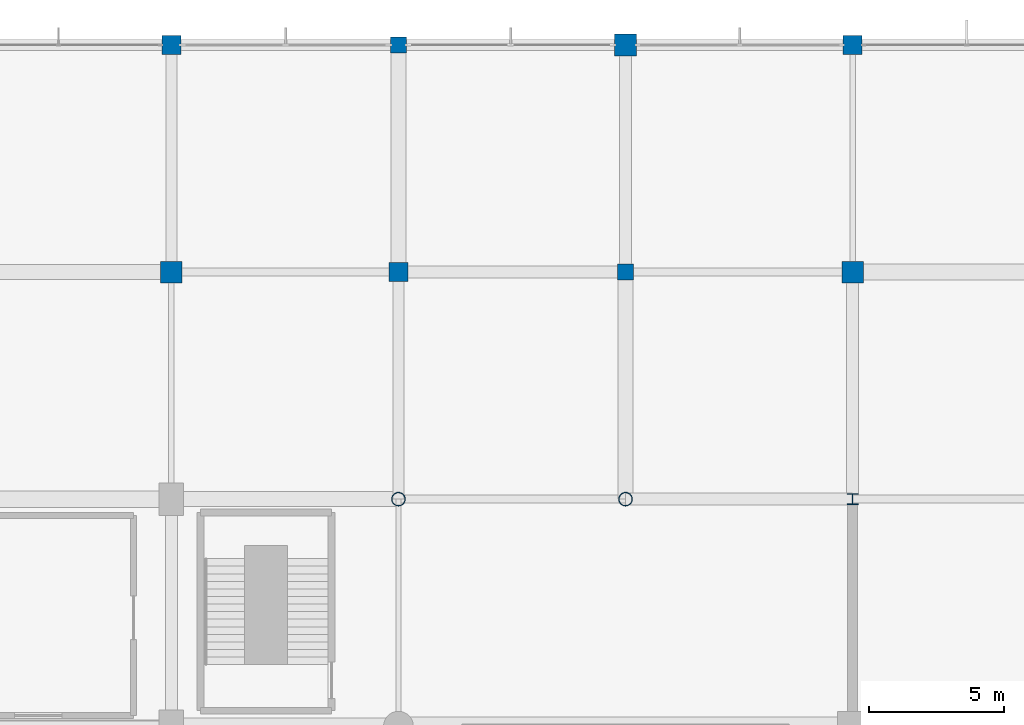
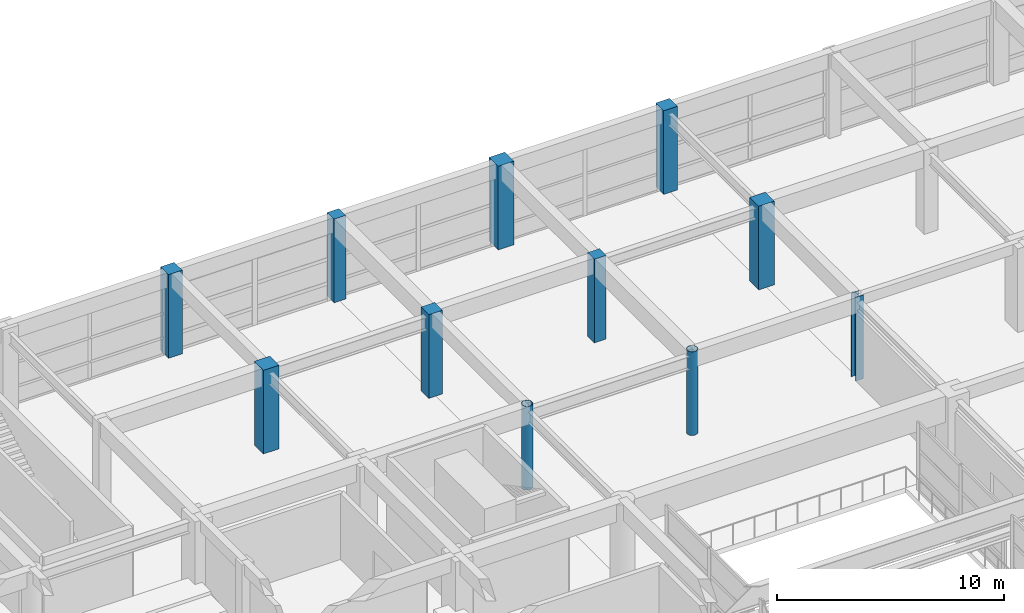
# One storey, part 6 of 62: 11 columns.
"""IFC4 building model written with IfcOpenShell, lengths in metres."""

from ifc_helpers import new_model, si_unit, direction, frame, origin, origin_2d, place, context, subcontext, project, spatial, rectangle, hollow_circle, i_section, extrude, material, material_profile, profile_set, type_object, element, save


model = new_model("IFC4")

# Units and contexts
model_context = context("Model", 3, precision=1e-05, world=origin(), true_north=direction((0.0, 1.0)))
body_context = subcontext(model_context, "Body", "Model", "MODEL_VIEW")
ifc_project = project(units=[si_unit("LENGTHUNIT", "METRE"), si_unit("AREAUNIT", "SQUARE_METRE"), si_unit("VOLUMEUNIT", "CUBIC_METRE"), si_unit("PLANEANGLEUNIT", "RADIAN"), si_unit("MASSUNIT", "GRAM", prefix="KILO")], contexts=[model_context])

# Site, building, storey
site_placement = place(None, origin())
site = spatial("IfcSite", under=ifc_project, at=site_placement, CompositionType="ELEMENT")
building_placement = place(site_placement, origin())
building = spatial("IfcBuilding", under=site, at=building_placement, Name="Xuanlan Plaza Opera House", CompositionType="ELEMENT")
storey_placement = place(building_placement, frame((0.0, 0.0, 14.39990234375)))
storey = spatial("IfcBuildingStorey", under=building, at=storey_placement, Name="L03", CompositionType="ELEMENT", Elevation=14.39990234375)

# Columns
ifc_material_1 = material(Name="Concrete C40", Category="concrete")
ifc_material_profile_1 = material_profile(ifc_material_1, rectangle(XDim=0.800048828125, YDim=0.800048828125, at=origin_2d()), Name="RC-COL 800x800")
ifc_profile_set_1 = profile_set([ifc_material_profile_1], Name="Concrete C40")
column_type_1 = type_object("IfcColumnType", Name="STR-COL-C-06", PredefinedType="COLUMN", material=ifc_profile_set_1)
for number, where, z_axis, x_axis, name in (
    (1, (100.800048828125, 92.39990234375, 0.0), (0.0, 0.0, 1.0), (1.0, 0.0, 0.0), "Column L03 13-L"),
    (2, (117.60009765625, 100.800048828125, 0.0), (0.0, 0.0, 1.0), (1.0, 0.0, 0.0), "Column L03 15-M"),
    (3, (126.0, 92.39990234375, 0.0), (0.0, 0.0, 1.0), (1.0, 0.0, 0.0), "Column L03 16-L"),
):
    element("IfcColumn", number, at=place(storey_placement, frame(where, z_axis=z_axis, x_axis=x_axis)), inside=storey, type_object=column_type_1, Name=name, PredefinedType="COLUMN", context=body_context, shape_type="SweptSolid", body=[
        extrude(rectangle(XDim=0.800048828125, YDim=0.800048828125, at=origin_2d()), origin(), (0.0, 0.0, 1.0), 4.5),
    ])
ifc_material_profile_2 = material_profile(ifc_material_1, rectangle(XDim=0.699951171875, YDim=0.699951171875, at=origin_2d()), Name="RC-COL 700x700")
ifc_profile_set_2 = profile_set([ifc_material_profile_2], Name="Concrete C40")
column_type_2 = type_object("IfcColumnType", Name="STR-COL-C-07", PredefinedType="COLUMN", material=ifc_profile_set_2)
for number, where, z_axis, x_axis, name in (
    (4, (100.800048828125, 100.800048828125, 0.0), (0.0, 0.0, 1.0), (1.0, 0.0, 0.0), "Column L03 13-M"),
    (5, (109.199951171875, 92.39990234375, 0.0), (0.0, 0.0, 1.0), (1.0, 0.0, 0.0), "Column L03 14-L"),
    (6, (126.0, 100.800048828125, 0.0), (0.0, 0.0, 1.0), (1.0, 0.0, 0.0), "Column L03 16-M"),
):
    element("IfcColumn", number, at=place(storey_placement, frame(where, z_axis=z_axis, x_axis=x_axis)), inside=storey, type_object=column_type_2, Name=name, PredefinedType="COLUMN", context=body_context, shape_type="SweptSolid", body=[
        extrude(rectangle(XDim=0.699951171875, YDim=0.699951171875, at=origin_2d()), origin(), (0.0, 0.0, 1.0), 4.5),
    ])
ifc_material_profile_3 = material_profile(ifc_material_1, rectangle(XDim=0.60009765625, YDim=0.60009765625, at=origin_2d()), Name="RC-COL 600x600")
ifc_profile_set_3 = profile_set([ifc_material_profile_3], Name="Concrete C40")
column_type_3 = type_object("IfcColumnType", Name="STR-COL-C-08", PredefinedType="COLUMN", material=ifc_profile_set_3)
for number, where, z_axis, x_axis, name in (
    (7, (109.199951171875, 100.800048828125, 0.0), (0.0, 0.0, 1.0), (1.0, 0.0, 0.0), "Column L03 14-M"),
    (8, (117.60009765625, 92.39990234375, 0.0), (0.0, 0.0, 1.0), (1.0, 0.0, 0.0), "Column L03 15-L"),
):
    element("IfcColumn", number, at=place(storey_placement, frame(where, z_axis=z_axis, x_axis=x_axis)), inside=storey, type_object=column_type_3, Name=name, PredefinedType="COLUMN", context=body_context, shape_type="SweptSolid", body=[
        extrude(rectangle(XDim=0.60009765625, YDim=0.60009765625, at=origin_2d()), origin(), (0.0, 0.0, 1.0), 4.5),
    ])
ifc_material_2 = material(Name="Steel Q355B", Category="steel")
ifc_material_profile_4 = material_profile(ifc_material_2, i_section(OverallWidth=0.39990234375, OverallDepth=0.39990234375, WebThickness=0.012939453125, FlangeThickness=0.02099609375, FilletRadius=0.02197265625, at=origin_2d()), Name="HW 400x400x13x21")
ifc_profile_set_4 = profile_set([ifc_material_profile_4], Name="Steel Q355B")
column_type_4 = type_object("IfcColumnType", Name="STR-COL-C-14", PredefinedType="COLUMN", material=ifc_profile_set_4)
column_placement = place(storey_placement, frame((126.0, 84.0, 0.0), z_axis=(0.0, 0.0, 1.0), x_axis=(1.0, 0.0, 0.0)))
element("IfcColumn", 9, at=column_placement, inside=storey, type_object=column_type_4, Name="Column L03 16-K", PredefinedType="COLUMN", context=body_context, shape_type="SweptSolid", body=[
    extrude(i_section(OverallWidth=0.39990234375, OverallDepth=0.39990234375, WebThickness=0.012939453125, FlangeThickness=0.02099609375, FilletRadius=0.02197265625, at=origin_2d()), origin(), (0.0, 0.0, 1.0), 4.5),
])
ifc_material_profile_5 = material_profile(ifc_material_2, hollow_circle(Radius=0.25390625, WallThickness=0.02001953125, at=origin_2d()), Name="CHS 508x20")
ifc_profile_set_5 = profile_set([ifc_material_profile_5], Name="Steel Q355B")
column_type_5 = type_object("IfcColumnType", Name="STR-COL-C-16", PredefinedType="COLUMN", material=ifc_profile_set_5)
for number, where, z_axis, x_axis, name in (
    (10, (109.199951171875, 84.0, 0.0), (0.0, 0.0, 1.0), (1.0, 0.0, 0.0), "Column L03 14-K"),
    (11, (117.60009765625, 84.0, 0.0), (0.0, 0.0, 1.0), (1.0, 0.0, 0.0), "Column L03 15-K"),
):
    element("IfcColumn", number, at=place(storey_placement, frame(where, z_axis=z_axis, x_axis=x_axis)), inside=storey, type_object=column_type_5, Name=name, PredefinedType="COLUMN", context=body_context, shape_type="SweptSolid", body=[
        extrude(hollow_circle(Radius=0.25390625, WallThickness=0.02001953125, at=origin_2d()), origin(), (0.0, 0.0, 1.0), 4.5),
    ])

save(model, "model.ifc")
